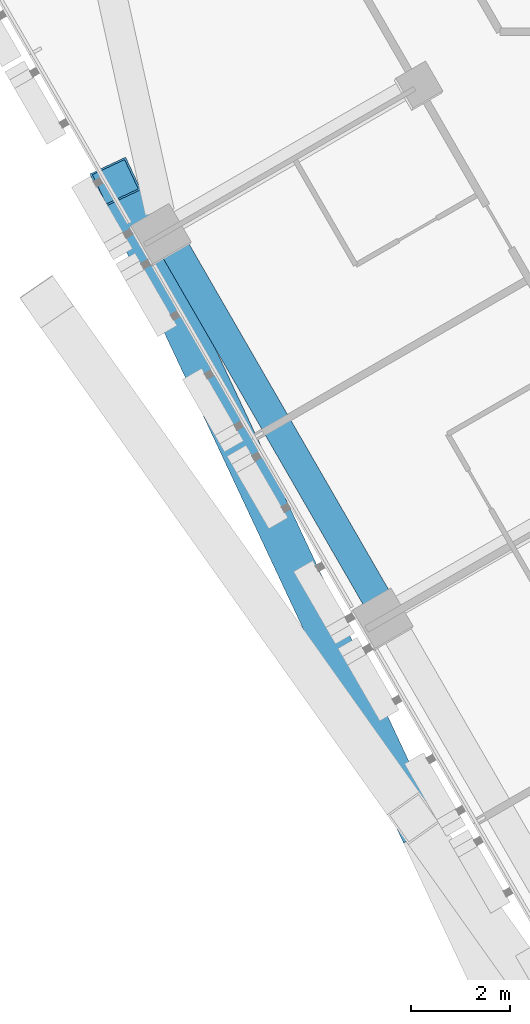
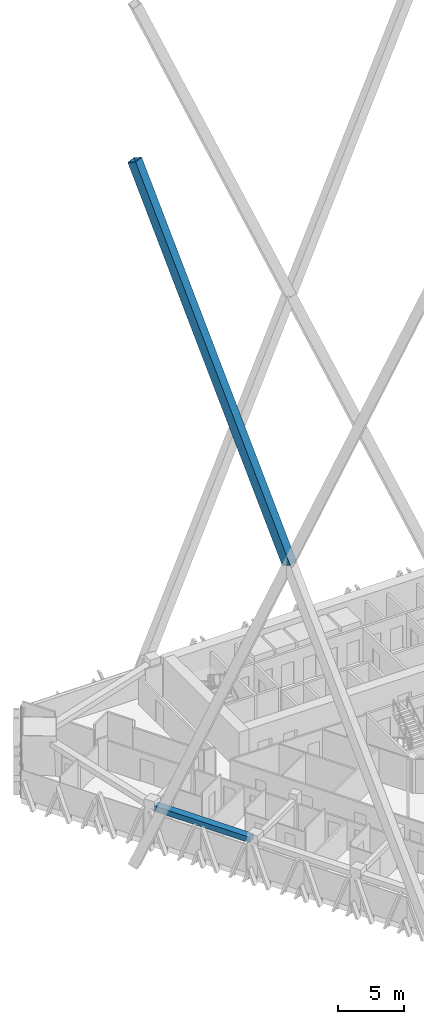
# One storey, part 5 of 23: 1 beam, 1 member.
"""IFC4 building model written with IfcOpenShell, lengths in metres."""

from ifc_helpers import new_model, si_unit, direction, frame, origin, origin_2d, place, context, subcontext, project, spatial, rectangle, hollow_rectangle, extrude, material, material_profile, profile_set, type_object, element, save


model = new_model("IFC4")

# Units and contexts
model_context = context("Model", 3, precision=1e-05, world=origin(), true_north=direction((0.0, 1.0)))
body_context = subcontext(model_context, "Body", "Model", "MODEL_VIEW")
ifc_project = project(units=[si_unit("LENGTHUNIT", "METRE"), si_unit("AREAUNIT", "SQUARE_METRE"), si_unit("VOLUMEUNIT", "CUBIC_METRE"), si_unit("PLANEANGLEUNIT", "RADIAN"), si_unit("MASSUNIT", "GRAM", prefix="KILO")], contexts=[model_context])

# Site, building, storey
site_placement = place(None, origin())
site = spatial("IfcSite", under=ifc_project, at=site_placement, CompositionType="ELEMENT")
building_placement = place(site_placement, origin())
building = spatial("IfcBuilding", under=site, at=building_placement, Name="Altiplano Prism Tower", CompositionType="ELEMENT")
storey_placement = place(building_placement, frame((0.0, 0.0, 100.800048828125)))
storey = spatial("IfcBuildingStorey", under=building, at=storey_placement, Name="L25", CompositionType="ELEMENT", Elevation=100.800048828125)

# Beam
ifc_material_1 = material(Name="Concrete C60/75", Category="concrete")
ifc_material_profile_1 = material_profile(ifc_material_1, rectangle(XDim=0.60009765625, YDim=0.5, at=origin_2d()), Name="Edge beam 600x500")
ifc_profile_set_1 = profile_set([ifc_material_profile_1], Name="Concrete C60/75")
beam_type = type_object("IfcBeamType", Name="Edge beam 600x500", PredefinedType="SPANDREL", material=ifc_profile_set_1)
beam_placement = place(storey_placement, frame((62.337890625, 88.109375, 2.849853515625), z_axis=(0.500014701701, -0.866016915587, 0.0), x_axis=(0.866016915587, 0.500014701701, 0.0)))
element("IfcBeam", 1, at=beam_placement, inside=storey, type_object=beam_type, Name="Edge beam P11-P12 L26", PredefinedType="SPANDREL", context=body_context, shape_type="SweptSolid", body=[
    extrude(rectangle(XDim=0.60009765625, YDim=0.5, at=origin_2d()), origin(), (0.0, 0.0, 1.0), 8.340087890625),
])

# Member
ifc_material_2 = material(Name="Steel S355", Category="steel")
ifc_material_profile_2 = material_profile(ifc_material_2, hollow_rectangle(XDim=0.800048828125, YDim=0.800048828125, WallThickness=0.0400390625, at=origin_2d()), Name="Mega brace Box 800x800x40")
ifc_profile_set_2 = profile_set([ifc_material_profile_2], Name="Steel S355")
member_type = type_object("IfcMemberType", Name="Mega brace Box 800x800x40", PredefinedType="BRACE", material=ifc_profile_set_2)
member_placement = place(storey_placement, frame((67.247802734375, 76.452392578125, 30.675048828125), z_axis=(-0.174873640855, 0.372978145101, 0.911211563256), x_axis=(-0.905421489219, -0.42451375344, 0.0)))
element("IfcMember", 2, at=member_placement, inside=storey, type_object=member_type, Name="Mega brace 3.1.4", PredefinedType="BRACE", context=body_context, shape_type="SweptSolid", body=[
    extrude(hollow_rectangle(XDim=0.800048828125, YDim=0.800048828125, WallThickness=0.0400390625, at=origin_2d()), origin(), (0.0, 0.0, 1.0), 34.5966796875),
])

save(model, "model.ifc")
